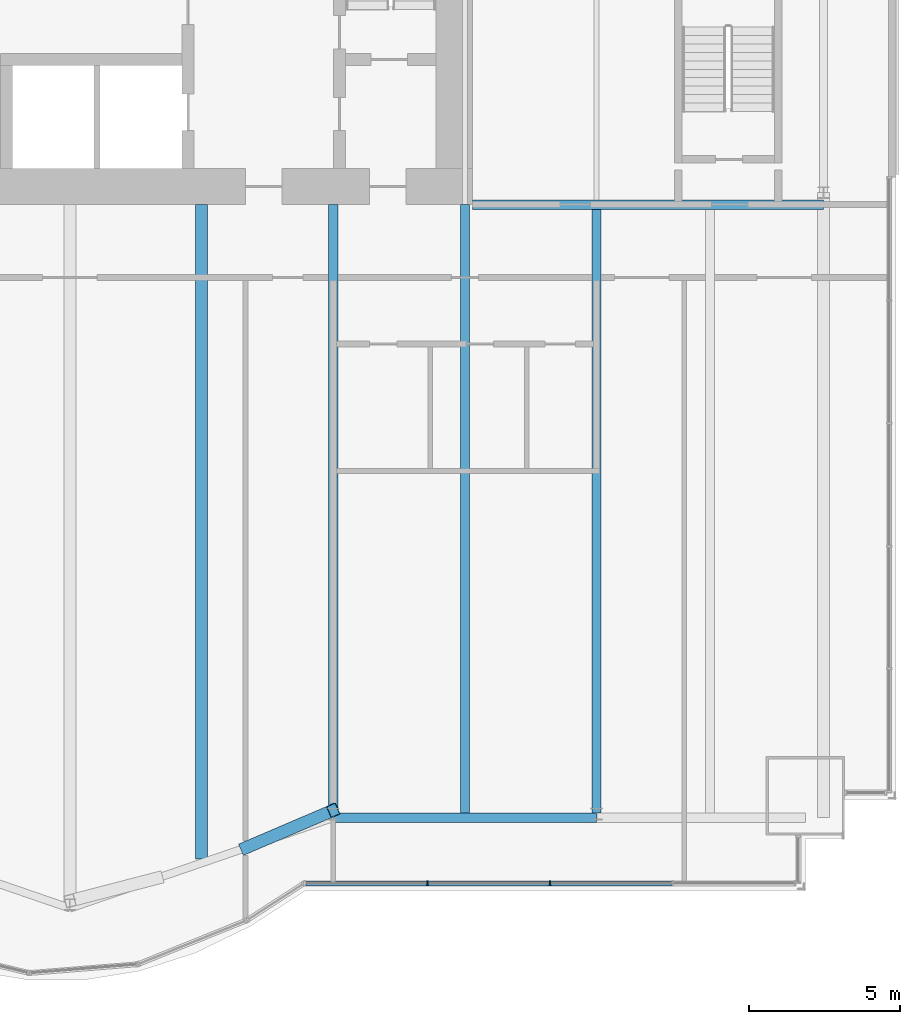
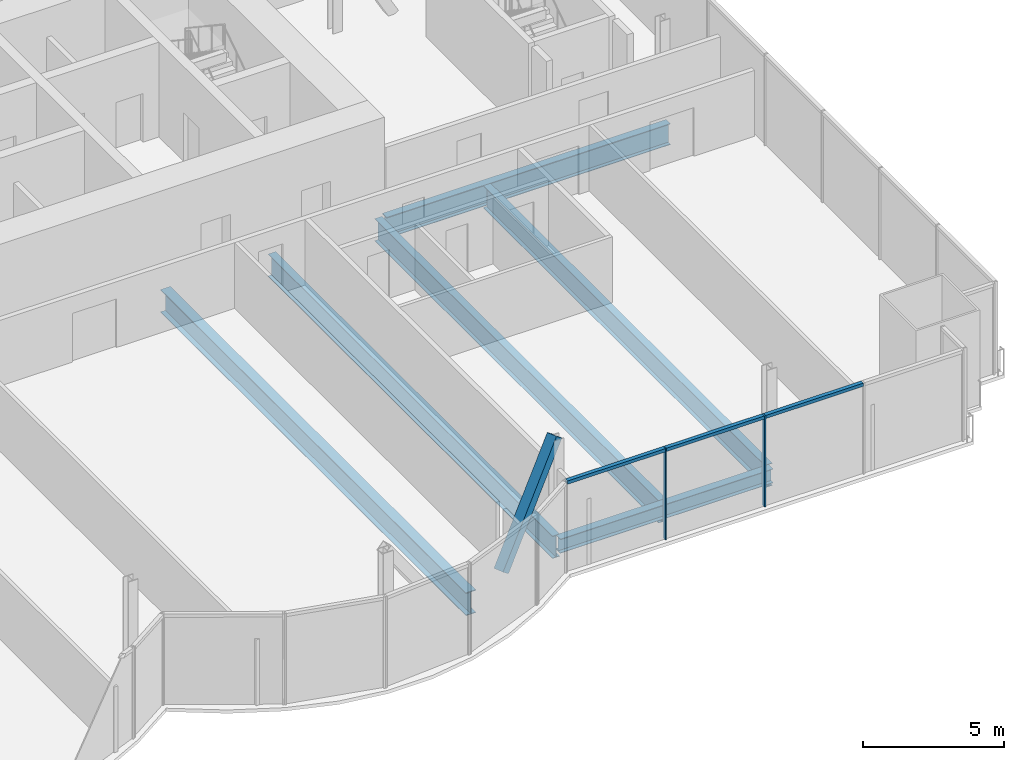
# One storey, part 9 of 22: 6 beams, 6 members, 1 element without a shape of its own.
"""IFC4 building model written with IfcOpenShell, lengths in metres."""

from ifc_helpers import new_model, si_unit, direction, frame, origin, origin_2d, place, context, subcontext, project, spatial, rectangle, hollow_rectangle, i_section, extrude, material, material_profile, profile_set, type_object, element, aggregate, save


model = new_model("IFC4")

# Units and contexts
model_context = context("Model", 3, precision=1e-05, world=origin(), true_north=direction((0.0, 1.0)))
body_context = subcontext(model_context, "Body", "Model", "MODEL_VIEW")
ifc_project = project(units=[si_unit("LENGTHUNIT", "METRE"), si_unit("AREAUNIT", "SQUARE_METRE"), si_unit("VOLUMEUNIT", "CUBIC_METRE"), si_unit("PLANEANGLEUNIT", "RADIAN"), si_unit("MASSUNIT", "GRAM", prefix="KILO")], contexts=[model_context])

# Site, building, storey
site_placement = place(None, origin())
site = spatial("IfcSite", under=ifc_project, at=site_placement, CompositionType="ELEMENT")
building_placement = place(site_placement, origin())
building = spatial("IfcBuilding", under=site, at=building_placement, Name="Bicima Exchange Tower", CompositionType="ELEMENT")
storey_placement = place(building_placement, frame((0.0, 0.0, 148.60009765625)))
storey = spatial("IfcBuildingStorey", under=building, at=storey_placement, Name="L32", CompositionType="ELEMENT", Elevation=148.60009765625)

# Beams
ifc_material_1 = material(Name="Steel ASTM A992 Gr 50", Category="steel")
ifc_material_profile_1 = material_profile(ifc_material_1, i_section(OverallWidth=0.3046875, OverallDepth=0.911865234375, WebThickness=0.015869140625, FlangeThickness=0.02392578125, at=origin_2d()))
ifc_profile_set_1 = profile_set([ifc_material_profile_1], Name="Steel ASTM A992 Gr 50")
beam_type_1 = type_object("IfcBeamType", Name="Core-line girder W36x150", PredefinedType="BEAM", material=ifc_profile_set_1)
beam_1_placement = place(storey_placement, frame((22.0, -13.0, -0.60595703125), z_axis=(1.0, 0.0, 0.0), x_axis=(0.0, 1.0, 0.0)))
element("IfcBeam", 1, at=beam_1_placement, inside=storey, type_object=beam_type_1, Name="Core-line girder", PredefinedType="BEAM", context=body_context, shape_type="SweptSolid", body=[
    extrude(i_section(OverallWidth=0.3046875, OverallDepth=0.911865234375, WebThickness=0.015869140625, FlangeThickness=0.02392578125, at=origin_2d()), origin(), (0.0, 0.0, 1.0), 11.60009765625),
])
ifc_material_profile_2 = material_profile(ifc_material_1, i_section(OverallWidth=0.2998046875, OverallDepth=0.97021484375, WebThickness=0.01611328125, FlangeThickness=0.02099609375, at=origin_2d()))
ifc_profile_set_2 = profile_set([ifc_material_profile_2], Name="Steel ASTM A992 Gr 50")
beam_type_2 = type_object("IfcBeamType", Name="Floor beam W40x149", PredefinedType="JOIST", material=ifc_profile_set_2)
beam_2_placement = place(storey_placement, frame((17.39990234375, -13.0, -0.63525390625), z_axis=(0.0, -1.0, 0.0), x_axis=(1.0, 0.0, 0.0)))
element("IfcBeam", 2, at=beam_2_placement, inside=storey, type_object=beam_type_2, Name="Floor beam", PredefinedType="JOIST", context=body_context, shape_type="SweptSolid", body=[
    extrude(i_section(OverallWidth=0.2998046875, OverallDepth=0.97021484375, WebThickness=0.01611328125, FlangeThickness=0.02099609375, at=origin_2d()), origin(), (0.0, 0.0, 1.0), 20.120361328125),
])
beam_3_placement = place(storey_placement, frame((21.75, -13.0, -0.63525390625), z_axis=(0.0, -1.0, 0.0), x_axis=(1.0, 0.0, 0.0)))
element("IfcBeam", 3, at=beam_3_placement, inside=storey, type_object=beam_type_2, Name="Floor beam", PredefinedType="JOIST", context=body_context, shape_type="SweptSolid", body=[
    extrude(i_section(OverallWidth=0.2998046875, OverallDepth=0.97021484375, WebThickness=0.01611328125, FlangeThickness=0.02099609375, at=origin_2d()), origin(), (0.0, 0.0, 1.0), 20.093505859375),
])
beam_4_placement = place(storey_placement, frame((26.10009765625, -13.15234375, -0.63525390625), z_axis=(0.0, -1.0, 0.0), x_axis=(1.0, 0.0, 0.0)))
element("IfcBeam", 4, at=beam_4_placement, inside=storey, type_object=beam_type_2, Name="Floor beam", PredefinedType="JOIST", context=body_context, shape_type="SweptSolid", body=[
    extrude(i_section(OverallWidth=0.2998046875, OverallDepth=0.97021484375, WebThickness=0.01611328125, FlangeThickness=0.02099609375, at=origin_2d()), origin(), (0.0, 0.0, 1.0), 19.941162109375),
])
ifc_material_profile_3 = material_profile(ifc_material_1, i_section(OverallWidth=0.4013671875, OverallDepth=0.990478515625, WebThickness=0.0166015625, FlangeThickness=0.031005859375, at=origin_2d()))
ifc_profile_set_3 = profile_set([ifc_material_profile_3], Name="Steel ASTM A992 Gr 50")
beam_type_3 = type_object("IfcBeamType", Name="Floor beam W40x215", PredefinedType="JOIST", material=ifc_profile_set_3)
beam_5_placement = place(storey_placement, frame((13.050048828125, -13.0, -0.6455078125), z_axis=(0.0, -1.0, 0.0), x_axis=(1.0, 0.0, 0.0)))
element("IfcBeam", 5, at=beam_5_placement, inside=storey, type_object=beam_type_3, Name="Floor beam", PredefinedType="JOIST", context=body_context, shape_type="SweptSolid", body=[
    extrude(i_section(OverallWidth=0.4013671875, OverallDepth=0.990478515625, WebThickness=0.0166015625, FlangeThickness=0.031005859375, at=origin_2d()), origin(), (0.0, 0.0, 1.0), 21.615966796875),
])
ifc_material_profile_4 = material_profile(ifc_material_1, i_section(OverallWidth=0.3251953125, OverallDepth=0.612060546875, WebThickness=0.0126953125, FlangeThickness=0.01904296875, at=origin_2d()))
ifc_profile_set_4 = profile_set([ifc_material_profile_4], Name="Steel ASTM A992 Gr 50")
beam_type_4 = type_object("IfcBeamType", Name="Front girder W24x104", PredefinedType="BEAM", material=ifc_profile_set_4)
beam_6_placement = place(storey_placement, frame((17.39990234375, -33.256103515625, -0.456298828125), z_axis=(1.0, 0.0, 0.0), x_axis=(0.0, 1.0, 0.0)))
element("IfcBeam", 6, at=beam_6_placement, inside=storey, type_object=beam_type_4, Name="Front girder", PredefinedType="BEAM", context=body_context, shape_type="SweptSolid", body=[
    extrude(i_section(OverallWidth=0.3251953125, OverallDepth=0.612060546875, WebThickness=0.0126953125, FlangeThickness=0.01904296875, at=origin_2d()), origin(), (0.0, 0.0, 1.0), 8.7001953125),
])

# Curtain wall, members
ifc_material_2 = material(Name="Anodised bronze aluminium", Category="aluminium")
curtain_wall_type = type_object("IfcCurtainWallType", Name="Front glass wall", PredefinedType="NOTDEFINED", material=ifc_material_2)
curtain_wall_placement = place(storey_placement, origin())
curtain_wall = element("IfcCurtainWall", 7, at=curtain_wall_placement, inside=storey, type_object=curtain_wall_type, Name="Front glass wall L32 run 16", PredefinedType="NOTDEFINED")
ifc_material_profile_5 = material_profile(ifc_material_2, rectangle(XDim=0.159912109375, YDim=0.06005859375, at=origin_2d()))
ifc_profile_set_5 = profile_set([ifc_material_profile_5], Name="Anodised bronze aluminium")
member_type_1 = type_object("IfcMemberType", Name="Front glass wall mullion 60 x 160", PredefinedType="MULLION", material=ifc_profile_set_5)
member_1_placement = place(storey_placement, frame((20.51171875, -35.426025390625, 0.0), z_axis=(0.0, 0.0, 1.0), x_axis=(0.0, 1.0, 0.0)))
member_1 = element("IfcMember", 8, at=member_1_placement, type_object=member_type_1, Name="Front glass wall mullion 2", PredefinedType="MULLION", context=body_context, shape_type="SweptSolid", body=[
    extrude(rectangle(XDim=0.159912109375, YDim=0.06005859375, at=origin_2d()), origin(), (0.0, 0.0, 1.0), 3.949951171875),
])
member_2_placement = place(storey_placement, frame((24.56103515625, -35.426025390625, 0.0), z_axis=(0.0, 0.0, 1.0), x_axis=(0.0, 1.0, 0.0)))
member_2 = element("IfcMember", 9, at=member_2_placement, type_object=member_type_1, Name="Front glass wall mullion 3", PredefinedType="MULLION", context=body_context, shape_type="SweptSolid", body=[
    extrude(rectangle(XDim=0.159912109375, YDim=0.06005859375, at=origin_2d()), origin(), (0.0, 0.0, 1.0), 3.949951171875),
])
ifc_material_profile_6 = material_profile(ifc_material_2, rectangle(XDim=0.159912109375, YDim=0.139892578125, at=origin_2d()))
ifc_profile_set_6 = profile_set([ifc_material_profile_6], Name="Anodised bronze aluminium")
member_type_2 = type_object("IfcMemberType", Name="Front glass wall transom 140 x 160", PredefinedType="USERDEFINED", material=ifc_profile_set_6)
member_3_placement = place(storey_placement, frame((16.4921875, -35.426025390625, 3.8798828125), z_axis=(1.0, 0.0, 0.0), x_axis=(0.0, 1.0, 0.0)))
member_3 = element("IfcMember", 10, at=member_3_placement, type_object=member_type_2, Name="Front glass wall transom 1.1", ObjectType="TRANSOM", PredefinedType="USERDEFINED", context=body_context, shape_type="SweptSolid", body=[
    extrude(rectangle(XDim=0.159912109375, YDim=0.139892578125, at=origin_2d()), origin(), (0.0, 0.0, 1.0), 3.989501953125),
])
member_4_placement = place(storey_placement, frame((20.54150390625, -35.426025390625, 3.8798828125), z_axis=(1.0, 0.0, 0.0), x_axis=(0.0, 1.0, 0.0)))
member_4 = element("IfcMember", 11, at=member_4_placement, type_object=member_type_2, Name="Front glass wall transom 2.1", ObjectType="TRANSOM", PredefinedType="USERDEFINED", context=body_context, shape_type="SweptSolid", body=[
    extrude(rectangle(XDim=0.159912109375, YDim=0.139892578125, at=origin_2d()), origin(), (0.0, 0.0, 1.0), 3.989501953125),
])
member_5_placement = place(storey_placement, frame((24.591064453125, -35.426025390625, 3.8798828125), z_axis=(1.0, 0.0, 0.0), x_axis=(0.0, 1.0, 0.0)))
member_5 = element("IfcMember", 12, at=member_5_placement, type_object=member_type_2, Name="Front glass wall transom 3.1", ObjectType="TRANSOM", PredefinedType="USERDEFINED", context=body_context, shape_type="SweptSolid", body=[
    extrude(rectangle(XDim=0.159912109375, YDim=0.139892578125, at=origin_2d()), origin(), (0.0, 0.0, 1.0), 3.989501953125),
])
aggregate(curtain_wall, [member_1, member_2, member_3, member_4, member_5])

# Member
ifc_material_3 = material(Name="Steel ASTM A572 Gr 50", Category="steel")
ifc_material_profile_7 = material_profile(ifc_material_3, hollow_rectangle(XDim=0.406494140625, YDim=0.406494140625, WallThickness=0.017822265625, at=origin_2d()))
ifc_profile_set_7 = profile_set([ifc_material_profile_7], Name="Steel ASTM A572 Gr 50")
member_type_3 = type_object("IfcMemberType", Name="Mega brace HSS16x16x3/4", PredefinedType="BRACE", material=ifc_profile_set_7)
member_6_placement = place(storey_placement, frame((14.5, -34.2529296875, 0.0), z_axis=(0.560602039363, 0.239900670659, 0.79257366956), x_axis=(-0.393424148395, 0.919357079409, 0.0)))
element("IfcMember", 13, at=member_6_placement, inside=storey, type_object=member_type_3, Name="Mega brace front", PredefinedType="BRACE", context=body_context, shape_type="SweptSolid", body=[
    extrude(hollow_rectangle(XDim=0.406494140625, YDim=0.406494140625, WallThickness=0.017822265625, at=origin_2d()), origin(), (0.0, 0.0, 1.0), 5.1728515625),
])

save(model, "model.ifc")
